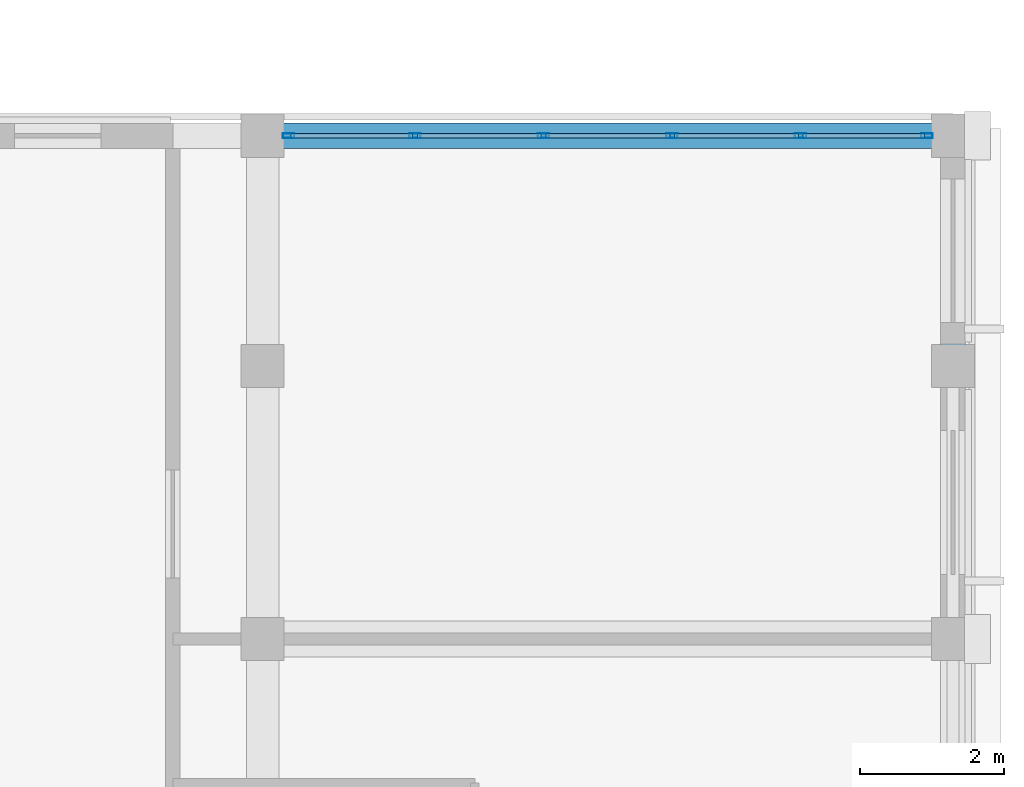
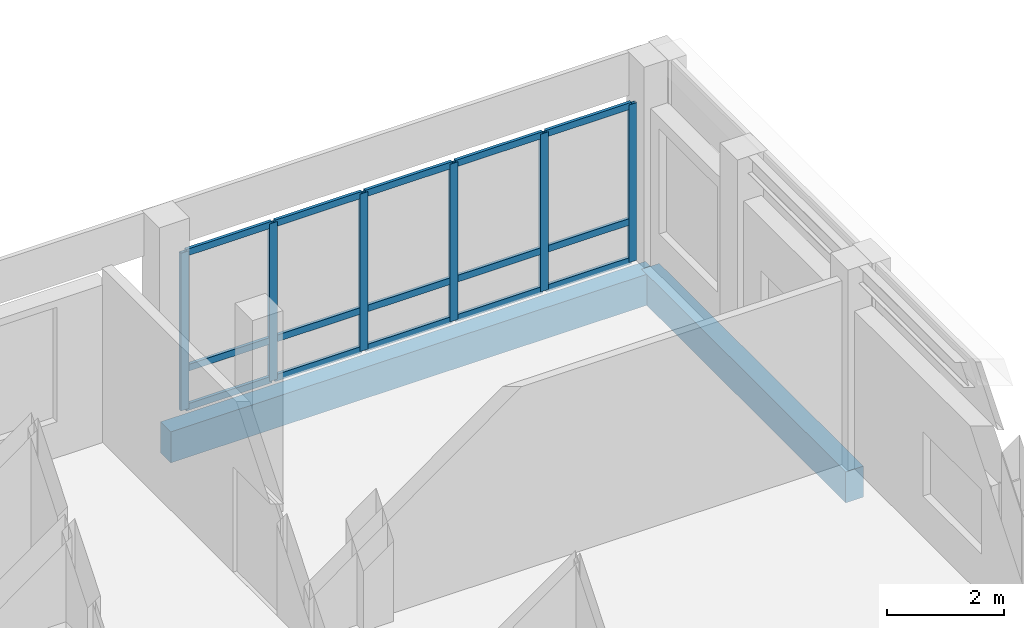
# One storey, part 60 of 93: 21 members, 2 beams, 1 element without a shape of its own.
"""IFC4 building model written with IfcOpenShell, lengths in metres."""

from ifc_helpers import new_model, si_unit, direction, frame, origin, origin_2d, place, context, subcontext, project, spatial, rectangle, hollow_rectangle, extrude, material, material_profile, profile_set, type_object, element, aggregate, save


model = new_model("IFC4")

# Units and contexts
model_context = context("Model", 3, precision=1e-05, world=origin(), true_north=direction((0.0, 1.0)))
body_context = subcontext(model_context, "Body", "Model", "MODEL_VIEW")
ifc_project = project(units=[si_unit("LENGTHUNIT", "METRE"), si_unit("AREAUNIT", "SQUARE_METRE"), si_unit("VOLUMEUNIT", "CUBIC_METRE"), si_unit("PLANEANGLEUNIT", "RADIAN"), si_unit("MASSUNIT", "GRAM", prefix="KILO")], contexts=[model_context])

# Site, building, storey
site_placement = place(None, origin())
site = spatial("IfcSite", under=ifc_project, at=site_placement, CompositionType="ELEMENT")
building_placement = place(site_placement, origin())
building = spatial("IfcBuilding", under=site, at=building_placement, Name="Vondelvale Polytechnic", CompositionType="ELEMENT")
storey_placement = place(building_placement, frame((0.0, 0.0, 18.0)))
storey = spatial("IfcBuildingStorey", under=building, at=storey_placement, Name="L04", CompositionType="ELEMENT", Elevation=18.0)

# Curtain wall, members
ifc_material_1 = material(Name="Anodised extruded aluminium 6063-T6", Category="aluminium")
curtain_wall_type = type_object("IfcCurtainWallType", Name="CW-STUDIO-NORTH", PredefinedType="NOTDEFINED", material=ifc_material_1)
curtain_wall_placement = place(storey_placement, origin())
curtain_wall = element("IfcCurtainWall", 1, at=curtain_wall_placement, inside=storey, type_object=curtain_wall_type, Name="L04 architectural curtain wall CW-01-070", PredefinedType="NOTDEFINED")
ifc_material_profile_1 = material_profile(ifc_material_1, hollow_rectangle(XDim=0.06494140625, YDim=0.159912109375, WallThickness=0.0048828125, at=origin_2d()), Name="CW-MUL-160x65")
ifc_profile_set_1 = profile_set([ifc_material_profile_1], Name="Anodised extruded aluminium 6063-T6")
member_type_1 = type_object("IfcMemberType", Name="CW-MUL-65x160", PredefinedType="MULLION", material=ifc_profile_set_1)
member_1_placement = place(storey_placement, frame((163.5625, 27.39990234375, 0.0), z_axis=(0.0, 0.0, 1.0), x_axis=(0.0, 1.0, 0.0)))
member_1 = element("IfcMember", 2, at=member_1_placement, type_object=member_type_1, Name="CW-01-070 mullion 1", PredefinedType="MULLION", context=body_context, shape_type="SweptSolid", body=[
    extrude(hollow_rectangle(XDim=0.06494140625, YDim=0.159912109375, WallThickness=0.0048828125, at=origin_2d()), origin(), (0.0, 0.0, 1.0), 3.300048828125),
])
member_2_placement = place(storey_placement, frame((165.318115234375, 27.39990234375, 0.0), z_axis=(0.0, 0.0, 1.0), x_axis=(0.0, 1.0, 0.0)))
member_2 = element("IfcMember", 3, at=member_2_placement, type_object=member_type_1, Name="CW-01-070 mullion 2", PredefinedType="MULLION", context=body_context, shape_type="SweptSolid", body=[
    extrude(hollow_rectangle(XDim=0.06494140625, YDim=0.159912109375, WallThickness=0.0048828125, at=origin_2d()), origin(), (0.0, 0.0, 1.0), 3.300048828125),
])
member_3_placement = place(storey_placement, frame((167.10595703125, 27.39990234375, 0.0), z_axis=(0.0, 0.0, 1.0), x_axis=(0.0, 1.0, 0.0)))
member_3 = element("IfcMember", 4, at=member_3_placement, type_object=member_type_1, Name="CW-01-070 mullion 3", PredefinedType="MULLION", context=body_context, shape_type="SweptSolid", body=[
    extrude(hollow_rectangle(XDim=0.06494140625, YDim=0.159912109375, WallThickness=0.0048828125, at=origin_2d()), origin(), (0.0, 0.0, 1.0), 3.300048828125),
])
member_4_placement = place(storey_placement, frame((168.89404296875, 27.39990234375, 0.0), z_axis=(0.0, 0.0, 1.0), x_axis=(0.0, 1.0, 0.0)))
member_4 = element("IfcMember", 5, at=member_4_placement, type_object=member_type_1, Name="CW-01-070 mullion 4", PredefinedType="MULLION", context=body_context, shape_type="SweptSolid", body=[
    extrude(hollow_rectangle(XDim=0.06494140625, YDim=0.159912109375, WallThickness=0.0048828125, at=origin_2d()), origin(), (0.0, 0.0, 1.0), 3.300048828125),
])
member_5_placement = place(storey_placement, frame((170.681884765625, 27.39990234375, 0.0), z_axis=(0.0, 0.0, 1.0), x_axis=(0.0, 1.0, 0.0)))
member_5 = element("IfcMember", 6, at=member_5_placement, type_object=member_type_1, Name="CW-01-070 mullion 5", PredefinedType="MULLION", context=body_context, shape_type="SweptSolid", body=[
    extrude(hollow_rectangle(XDim=0.06494140625, YDim=0.159912109375, WallThickness=0.0048828125, at=origin_2d()), origin(), (0.0, 0.0, 1.0), 3.300048828125),
])
member_6_placement = place(storey_placement, frame((172.4375, 27.39990234375, 0.0), z_axis=(0.0, 0.0, 1.0), x_axis=(0.0, 1.0, 0.0)))
member_6 = element("IfcMember", 7, at=member_6_placement, type_object=member_type_1, Name="CW-01-070 mullion 6", PredefinedType="MULLION", context=body_context, shape_type="SweptSolid", body=[
    extrude(hollow_rectangle(XDim=0.06494140625, YDim=0.159912109375, WallThickness=0.0048828125, at=origin_2d()), origin(), (0.0, 0.0, 1.0), 3.300048828125),
])
ifc_material_profile_2 = material_profile(ifc_material_1, hollow_rectangle(XDim=0.06005859375, YDim=0.139892578125, WallThickness=0.00341796875, at=origin_2d()), Name="CW-TRN-140x60")
ifc_profile_set_2 = profile_set([ifc_material_profile_2], Name="Anodised extruded aluminium 6063-T6")
member_type_2 = type_object("IfcMemberType", Name="CW-TRN-60x140", PredefinedType="USERDEFINED", material=ifc_profile_set_2)
member_7_placement = place(storey_placement, frame((163.594970703125, 27.39990234375, 0.030029296875), z_axis=(1.0, 0.0, 0.0), x_axis=(0.0, 1.0, 0.0)))
member_7 = element("IfcMember", 8, at=member_7_placement, type_object=member_type_2, Name="CW-01-070 transom 1.1", ObjectType="TRANSOM", PredefinedType="USERDEFINED", context=body_context, shape_type="SweptSolid", body=[
    extrude(hollow_rectangle(XDim=0.06005859375, YDim=0.139892578125, WallThickness=0.00341796875, at=origin_2d()), origin(), (0.0, 0.0, 1.0), 1.6904296875),
])
member_8_placement = place(storey_placement, frame((163.594970703125, 27.39990234375, 0.85009765625), z_axis=(1.0, 0.0, 0.0), x_axis=(0.0, 1.0, 0.0)))
member_8 = element("IfcMember", 9, at=member_8_placement, type_object=member_type_2, Name="CW-01-070 transom 1.2", ObjectType="TRANSOM", PredefinedType="USERDEFINED", context=body_context, shape_type="SweptSolid", body=[
    extrude(hollow_rectangle(XDim=0.06005859375, YDim=0.139892578125, WallThickness=0.00341796875, at=origin_2d()), origin(), (0.0, 0.0, 1.0), 1.6904296875),
])
member_9_placement = place(storey_placement, frame((163.594970703125, 27.39990234375, 3.27001953125), z_axis=(1.0, 0.0, 0.0), x_axis=(0.0, 1.0, 0.0)))
member_9 = element("IfcMember", 10, at=member_9_placement, type_object=member_type_2, Name="CW-01-070 transom 1.3", ObjectType="TRANSOM", PredefinedType="USERDEFINED", context=body_context, shape_type="SweptSolid", body=[
    extrude(hollow_rectangle(XDim=0.06005859375, YDim=0.139892578125, WallThickness=0.00341796875, at=origin_2d()), origin(), (0.0, 0.0, 1.0), 1.6904296875),
])
member_10_placement = place(storey_placement, frame((165.3505859375, 27.39990234375, 0.030029296875), z_axis=(1.0, 0.0, 0.0), x_axis=(0.0, 1.0, 0.0)))
member_10 = element("IfcMember", 11, at=member_10_placement, type_object=member_type_2, Name="CW-01-070 transom 2.1", ObjectType="TRANSOM", PredefinedType="USERDEFINED", context=body_context, shape_type="SweptSolid", body=[
    extrude(hollow_rectangle(XDim=0.06005859375, YDim=0.139892578125, WallThickness=0.00341796875, at=origin_2d()), origin(), (0.0, 0.0, 1.0), 1.722900390625),
])
member_11_placement = place(storey_placement, frame((165.3505859375, 27.39990234375, 0.85009765625), z_axis=(1.0, 0.0, 0.0), x_axis=(0.0, 1.0, 0.0)))
member_11 = element("IfcMember", 12, at=member_11_placement, type_object=member_type_2, Name="CW-01-070 transom 2.2", ObjectType="TRANSOM", PredefinedType="USERDEFINED", context=body_context, shape_type="SweptSolid", body=[
    extrude(hollow_rectangle(XDim=0.06005859375, YDim=0.139892578125, WallThickness=0.00341796875, at=origin_2d()), origin(), (0.0, 0.0, 1.0), 1.722900390625),
])
member_12_placement = place(storey_placement, frame((165.3505859375, 27.39990234375, 3.27001953125), z_axis=(1.0, 0.0, 0.0), x_axis=(0.0, 1.0, 0.0)))
member_12 = element("IfcMember", 13, at=member_12_placement, type_object=member_type_2, Name="CW-01-070 transom 2.3", ObjectType="TRANSOM", PredefinedType="USERDEFINED", context=body_context, shape_type="SweptSolid", body=[
    extrude(hollow_rectangle(XDim=0.06005859375, YDim=0.139892578125, WallThickness=0.00341796875, at=origin_2d()), origin(), (0.0, 0.0, 1.0), 1.722900390625),
])
member_13_placement = place(storey_placement, frame((167.138427734375, 27.39990234375, 0.030029296875), z_axis=(1.0, 0.0, 0.0), x_axis=(0.0, 1.0, 0.0)))
member_13 = element("IfcMember", 14, at=member_13_placement, type_object=member_type_2, Name="CW-01-070 transom 3.1", ObjectType="TRANSOM", PredefinedType="USERDEFINED", context=body_context, shape_type="SweptSolid", body=[
    extrude(hollow_rectangle(XDim=0.06005859375, YDim=0.139892578125, WallThickness=0.00341796875, at=origin_2d()), origin(), (0.0, 0.0, 1.0), 1.72314453125),
])
member_14_placement = place(storey_placement, frame((167.138427734375, 27.39990234375, 0.85009765625), z_axis=(1.0, 0.0, 0.0), x_axis=(0.0, 1.0, 0.0)))
member_14 = element("IfcMember", 15, at=member_14_placement, type_object=member_type_2, Name="CW-01-070 transom 3.2", ObjectType="TRANSOM", PredefinedType="USERDEFINED", context=body_context, shape_type="SweptSolid", body=[
    extrude(hollow_rectangle(XDim=0.06005859375, YDim=0.139892578125, WallThickness=0.00341796875, at=origin_2d()), origin(), (0.0, 0.0, 1.0), 1.72314453125),
])
member_15_placement = place(storey_placement, frame((167.138427734375, 27.39990234375, 3.27001953125), z_axis=(1.0, 0.0, 0.0), x_axis=(0.0, 1.0, 0.0)))
member_15 = element("IfcMember", 16, at=member_15_placement, type_object=member_type_2, Name="CW-01-070 transom 3.3", ObjectType="TRANSOM", PredefinedType="USERDEFINED", context=body_context, shape_type="SweptSolid", body=[
    extrude(hollow_rectangle(XDim=0.06005859375, YDim=0.139892578125, WallThickness=0.00341796875, at=origin_2d()), origin(), (0.0, 0.0, 1.0), 1.72314453125),
])
member_16_placement = place(storey_placement, frame((168.926513671875, 27.39990234375, 0.030029296875), z_axis=(1.0, 0.0, 0.0), x_axis=(0.0, 1.0, 0.0)))
member_16 = element("IfcMember", 17, at=member_16_placement, type_object=member_type_2, Name="CW-01-070 transom 4.1", ObjectType="TRANSOM", PredefinedType="USERDEFINED", context=body_context, shape_type="SweptSolid", body=[
    extrude(hollow_rectangle(XDim=0.06005859375, YDim=0.139892578125, WallThickness=0.00341796875, at=origin_2d()), origin(), (0.0, 0.0, 1.0), 1.722900390625),
])
member_17_placement = place(storey_placement, frame((168.926513671875, 27.39990234375, 0.85009765625), z_axis=(1.0, 0.0, 0.0), x_axis=(0.0, 1.0, 0.0)))
member_17 = element("IfcMember", 18, at=member_17_placement, type_object=member_type_2, Name="CW-01-070 transom 4.2", ObjectType="TRANSOM", PredefinedType="USERDEFINED", context=body_context, shape_type="SweptSolid", body=[
    extrude(hollow_rectangle(XDim=0.06005859375, YDim=0.139892578125, WallThickness=0.00341796875, at=origin_2d()), origin(), (0.0, 0.0, 1.0), 1.722900390625),
])
member_18_placement = place(storey_placement, frame((168.926513671875, 27.39990234375, 3.27001953125), z_axis=(1.0, 0.0, 0.0), x_axis=(0.0, 1.0, 0.0)))
member_18 = element("IfcMember", 19, at=member_18_placement, type_object=member_type_2, Name="CW-01-070 transom 4.3", ObjectType="TRANSOM", PredefinedType="USERDEFINED", context=body_context, shape_type="SweptSolid", body=[
    extrude(hollow_rectangle(XDim=0.06005859375, YDim=0.139892578125, WallThickness=0.00341796875, at=origin_2d()), origin(), (0.0, 0.0, 1.0), 1.722900390625),
])
member_19_placement = place(storey_placement, frame((170.714599609375, 27.39990234375, 0.030029296875), z_axis=(1.0, 0.0, 0.0), x_axis=(0.0, 1.0, 0.0)))
member_19 = element("IfcMember", 20, at=member_19_placement, type_object=member_type_2, Name="CW-01-070 transom 5.1", ObjectType="TRANSOM", PredefinedType="USERDEFINED", context=body_context, shape_type="SweptSolid", body=[
    extrude(hollow_rectangle(XDim=0.06005859375, YDim=0.139892578125, WallThickness=0.00341796875, at=origin_2d()), origin(), (0.0, 0.0, 1.0), 1.6904296875),
])
member_20_placement = place(storey_placement, frame((170.714599609375, 27.39990234375, 0.85009765625), z_axis=(1.0, 0.0, 0.0), x_axis=(0.0, 1.0, 0.0)))
member_20 = element("IfcMember", 21, at=member_20_placement, type_object=member_type_2, Name="CW-01-070 transom 5.2", ObjectType="TRANSOM", PredefinedType="USERDEFINED", context=body_context, shape_type="SweptSolid", body=[
    extrude(hollow_rectangle(XDim=0.06005859375, YDim=0.139892578125, WallThickness=0.00341796875, at=origin_2d()), origin(), (0.0, 0.0, 1.0), 1.6904296875),
])
member_21_placement = place(storey_placement, frame((170.714599609375, 27.39990234375, 3.27001953125), z_axis=(1.0, 0.0, 0.0), x_axis=(0.0, 1.0, 0.0)))
member_21 = element("IfcMember", 22, at=member_21_placement, type_object=member_type_2, Name="CW-01-070 transom 5.3", ObjectType="TRANSOM", PredefinedType="USERDEFINED", context=body_context, shape_type="SweptSolid", body=[
    extrude(hollow_rectangle(XDim=0.06005859375, YDim=0.139892578125, WallThickness=0.00341796875, at=origin_2d()), origin(), (0.0, 0.0, 1.0), 1.6904296875),
])
aggregate(curtain_wall, [member_1, member_2, member_3, member_4, member_5, member_6, member_7, member_8, member_9, member_10, member_11, member_12, member_13, member_14, member_15, member_16, member_17, member_18, member_19, member_20, member_21])

# Beams
ifc_material_2 = material(Name="Precast concrete N40 (f'c = 40 MPa)", Category="concrete")
ifc_material_profile_3 = material_profile(ifc_material_2, rectangle(XDim=0.35009765625, YDim=0.64990234375, at=origin_2d()), Name="RC-SPN-350x650")
ifc_profile_set_3 = profile_set([ifc_material_profile_3], Name="Precast concrete N40 (f'c = 40 MPa)")
beam_type = type_object("IfcBeamType", Name="SPN-PRE350x650", PredefinedType="SPANDREL", material=ifc_profile_set_3)
beam_1_placement = place(storey_placement, frame((163.199951171875, 27.39990234375, -0.574951171875), z_axis=(1.0, 0.0, 0.0), x_axis=(0.0, 1.0, 0.0)))
element("IfcBeam", 23, at=beam_1_placement, inside=storey, type_object=beam_type, Name="L04 B SP-02", PredefinedType="SPANDREL", context=body_context, shape_type="SweptSolid", body=[
    extrude(rectangle(XDim=0.35009765625, YDim=0.64990234375, at=origin_2d()), origin(), (0.0, 0.0, 1.0), 9.60009765625),
])
beam_2_placement = place(storey_placement, frame((172.800048828125, 20.39990234375, -0.574951171875), z_axis=(0.0, 1.0, 0.0), x_axis=(-1.0, 0.0, 0.0)))
element("IfcBeam", 24, at=beam_2_placement, inside=storey, type_object=beam_type, Name="L04 B SP-02", PredefinedType="SPANDREL", context=body_context, shape_type="SweptSolid", body=[
    extrude(rectangle(XDim=0.35009765625, YDim=0.64990234375, at=origin_2d()), origin(), (0.0, 0.0, 1.0), 7.0),
])

save(model, "model.ifc")
